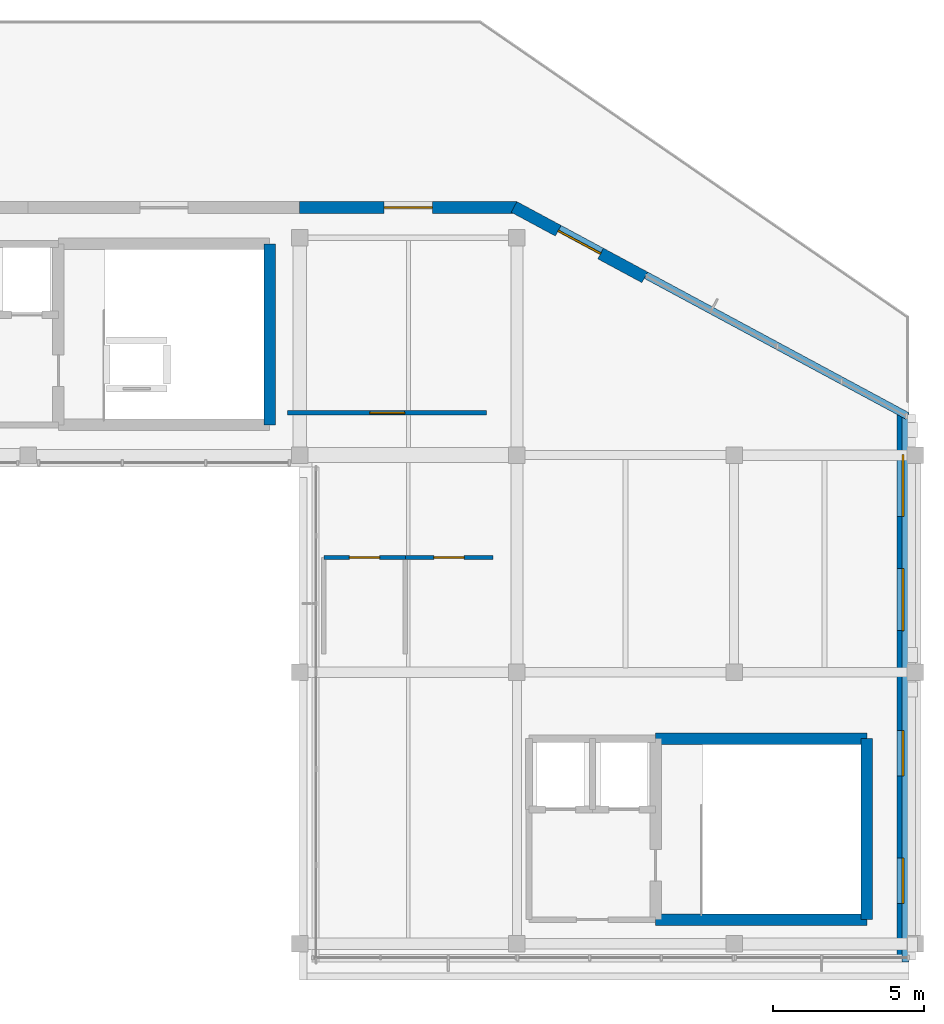
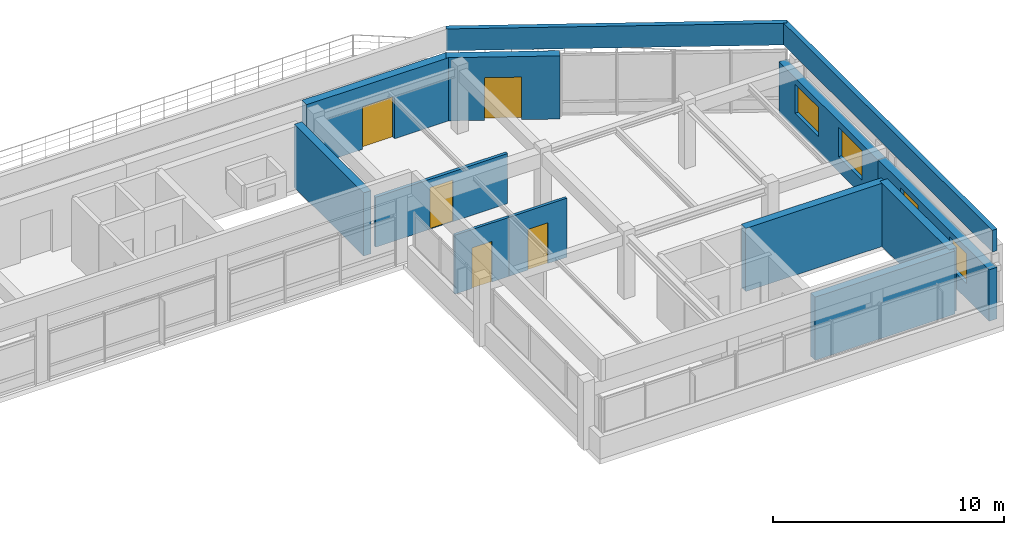
# One storey, part 8 of 10: 13 walls, 5 doors, 4 windows, 9 openings.
"""IFC4 building model written with IfcOpenShell, lengths in metres."""

from ifc_helpers import new_model, si_unit, direction, frame, frame_2d, origin, place, context, subcontext, project, spatial, rectangle, extrude, material, layer, layer_set, type_object, element, fill, save


model = new_model("IFC4")

# Units and contexts
model_context = context("Model", 3, precision=1e-05, world=origin(), true_north=direction((0.0, 1.0)))
body_context = subcontext(model_context, "Body", "Model", "MODEL_VIEW")
ifc_project = project(units=[si_unit("LENGTHUNIT", "METRE"), si_unit("AREAUNIT", "SQUARE_METRE"), si_unit("VOLUMEUNIT", "CUBIC_METRE"), si_unit("PLANEANGLEUNIT", "RADIAN"), si_unit("MASSUNIT", "GRAM", prefix="KILO")], contexts=[model_context])

# Site, building, storey
site_placement = place(None, origin())
site = spatial("IfcSite", under=ifc_project, at=site_placement, CompositionType="ELEMENT")
building_placement = place(site_placement, origin())
building = spatial("IfcBuilding", under=site, at=building_placement, Name="Clarverna Civic Hall", CompositionType="ELEMENT")
storey_placement = place(building_placement, frame((0.0, 0.0, 27.60009765625)))
storey = spatial("IfcBuildingStorey", under=building, at=storey_placement, Name="L07", CompositionType="ELEMENT", Elevation=27.60009765625)

# Wall, opening, door
ifc_material_1 = material(Name="Montjuic Limestone Ashlar Cladding", Category="masonry")
ifc_layer_1 = layer(ifc_material_1, 0.39990234375)
ifc_layer_set_1 = layer_set([ifc_layer_1], Name="Montjuic Limestone Ashlar Cladding")
wall_type_1 = type_object("IfcWallType", Name="EW-02", PredefinedType="SOLIDWALL", material=ifc_layer_set_1)
wall_1_placement = place(storey_placement, frame((147.60009765625, 103.199951171875, 0.0), z_axis=(0.0, 0.0, 1.0), x_axis=(1.0, 0.0, 0.0)))
wall_1 = element("IfcWall", 1, at=wall_1_placement, inside=storey, type_object=wall_type_1, Name="EW-02-286", PredefinedType="SOLIDWALL", context=body_context, shape_type="SweptSolid", body=[
    extrude(rectangle(XDim=7.199951171875, YDim=0.39990234375, at=frame_2d((3.60009765625, 0.0))), origin(), (0.0, 0.0, 1.0), 3.33984375),
])
opening_1_placement = place(wall_1_placement, frame((2.800048828125, 0.0, 0.0)))
opening_1 = element("IfcOpeningElement", 2, at=opening_1_placement, cuts=wall_1, Name="Opening ED-04", PredefinedType="OPENING", context=body_context, shape_type="SweptSolid", body=[
    extrude(rectangle(XDim=1.60009765625, YDim=2.25, at=frame_2d((0.800048828125, 1.125))), frame((0.0, 0.2099609375, 0.0), z_axis=(0.0, -1.0, 0.0), x_axis=(1.0, 0.0, 0.0)), (0.0, 0.0, 1.0), 0.419921875),
])
ifc_material_2 = material(Name="Anodised Bronze Glazed Door")
door_type_1 = type_object("IfcDoorType", Name="ED-04", OperationType="DOUBLE_DOOR_SINGLE_SWING", PredefinedType="DOOR", material=ifc_material_2)
door_1_placement = place(opening_1_placement, origin())
door_1 = element("IfcDoor", 3, at=door_1_placement, inside=storey, type_object=door_type_1, Name="ED-04-050", OperationType="DOUBLE_DOOR_SINGLE_SWING", OverallHeight=2.25, OverallWidth=1.60009765625, PredefinedType="DOOR", context=body_context, shape_type="SweptSolid", body=[
    extrude(rectangle(XDim=1.60009765625, YDim=2.25, at=frame_2d((0.800048828125, 1.125))), frame((0.0, 0.02490234375, 0.0), z_axis=(0.0, -1.0, 0.0), x_axis=(1.0, 0.0, 0.0)), (0.0, 0.0, 1.0), 0.050048828125),
])
fill(opening_1, door_1)

wall_2_placement = place(storey_placement, frame((154.705078125, 103.223876953125, 0.0), z_axis=(0.0, 0.0, 1.0), x_axis=(0.880485434856, -0.474073200052, 0.0)))
wall_2 = element("IfcWall", 4, at=wall_2_placement, inside=storey, type_object=wall_type_1, Name="EW-02-287", PredefinedType="SOLIDWALL", context=body_context, shape_type="SweptSolid", body=[
    extrude(rectangle(XDim=4.921630859375, YDim=0.39990234375, at=frame_2d((2.4609375, 0.0))), origin(), (0.0, 0.0, 1.0), 3.33984375),
])
opening_2_placement = place(wall_2_placement, frame((1.660888671875, 0.0, 0.0)))
opening_2 = element("IfcOpeningElement", 5, at=opening_2_placement, cuts=wall_2, Name="Opening ED-04", PredefinedType="OPENING", context=body_context, shape_type="SweptSolid", body=[
    extrude(rectangle(XDim=1.60009765625, YDim=2.25, at=frame_2d((0.800048828125, 1.125))), frame((0.0, 0.2099609375, 0.0), z_axis=(0.0, -1.0, 0.0), x_axis=(1.0, 0.0, 0.0)), (0.0, 0.0, 1.0), 0.419921875),
])
door_2_placement = place(opening_2_placement, origin())
door_2 = element("IfcDoor", 6, at=door_2_placement, inside=storey, type_object=door_type_1, Name="ED-04-051", OperationType="DOUBLE_DOOR_SINGLE_SWING", OverallHeight=2.25, OverallWidth=1.60009765625, PredefinedType="DOOR", context=body_context, shape_type="SweptSolid", body=[
    extrude(rectangle(XDim=1.60009765625, YDim=2.25, at=frame_2d((0.800048828125, 1.125))), frame((0.0, 0.02490234375, 0.0), z_axis=(0.0, -1.0, 0.0), x_axis=(1.0, 0.0, 0.0)), (0.0, 0.0, 1.0), 0.050048828125),
])
fill(opening_2, door_2)

# Wall, openings, windows
wall_3_placement = place(storey_placement, frame((167.60009765625, 96.39990234375, 0.0), z_axis=(0.0, 0.0, 1.0), x_axis=(0.0, -1.0, 0.0)))
wall_3 = element("IfcWall", 7, at=wall_3_placement, inside=storey, type_object=wall_type_1, Name="EW-02-288", PredefinedType="SOLIDWALL", context=body_context, shape_type="SweptSolid", body=[
    extrude(rectangle(XDim=8.599853515625, YDim=0.39990234375, at=frame_2d((4.2998046875, 0.0))), origin(), (0.0, 0.0, 1.0), 2.68994140625),
])
opening_3_placement = place(wall_3_placement, frame((1.383056640625, 0.0, 0.800048828125)))
opening_3 = element("IfcOpeningElement", 8, at=opening_3_placement, cuts=wall_3, Name="Opening WN-28", PredefinedType="OPENING", context=body_context, shape_type="SweptSolid", body=[
    extrude(rectangle(XDim=2.050048828125, YDim=1.550048828125, at=frame_2d((1.02490234375, 0.77490234375))), frame((0.0, 0.2099609375, 0.0), z_axis=(0.0, -1.0, 0.0), x_axis=(1.0, 0.0, 0.0)), (0.0, 0.0, 1.0), 0.419921875),
])
opening_4_placement = place(wall_3_placement, frame((5.1669921875, 0.0, 0.800048828125)))
opening_4 = element("IfcOpeningElement", 9, at=opening_4_placement, cuts=wall_3, Name="Opening WN-28", PredefinedType="OPENING", context=body_context, shape_type="SweptSolid", body=[
    extrude(rectangle(XDim=2.050048828125, YDim=1.550048828125, at=frame_2d((1.02490234375, 0.77490234375))), frame((0.0, 0.2099609375, 0.0), z_axis=(0.0, -1.0, 0.0), x_axis=(1.0, 0.0, 0.0)), (0.0, 0.0, 1.0), 0.419921875),
])
ifc_material_3 = material(Name="Solar-Control Argon Low-E Double Glazing", Category="glass")
window_type_1 = type_object("IfcWindowType", Name="WN-28", PartitioningType="DOUBLE_PANEL_VERTICAL", PredefinedType="WINDOW", material=ifc_material_3)
window_1_placement = place(opening_3_placement, origin())
window_1 = element("IfcWindow", 10, at=window_1_placement, inside=storey, type_object=window_type_1, Name="WN-28-001", OverallHeight=1.550048828125, OverallWidth=2.050048828125, PartitioningType="DOUBLE_PANEL_VERTICAL", PredefinedType="WINDOW", context=body_context, shape_type="SweptSolid", body=[
    extrude(rectangle(XDim=2.050048828125, YDim=1.550048828125, at=frame_2d((1.02490234375, 0.77490234375))), frame((0.0, 0.030029296875, 0.0), z_axis=(0.0, -1.0, 0.0), x_axis=(1.0, 0.0, 0.0)), (0.0, 0.0, 1.0), 0.06005859375),
])
fill(opening_3, window_1)
window_2_placement = place(opening_4_placement, origin())
window_2 = element("IfcWindow", 11, at=window_2_placement, inside=storey, type_object=window_type_1, Name="WN-28-002", OverallHeight=1.550048828125, OverallWidth=2.050048828125, PartitioningType="DOUBLE_PANEL_VERTICAL", PredefinedType="WINDOW", context=body_context, shape_type="SweptSolid", body=[
    extrude(rectangle(XDim=2.050048828125, YDim=1.550048828125, at=frame_2d((1.02490234375, 0.77490234375))), frame((0.0, 0.030029296875, 0.0), z_axis=(0.0, -1.0, 0.0), x_axis=(1.0, 0.0, 0.0)), (0.0, 0.0, 1.0), 0.06005859375),
])
fill(opening_4, window_2)

wall_4_placement = place(storey_placement, frame((167.60009765625, 87.800048828125, 0.0), z_axis=(0.0, 0.0, 1.0), x_axis=(0.0, -1.0, 0.0)))
wall_4 = element("IfcWall", 12, at=wall_4_placement, inside=storey, type_object=wall_type_1, Name="EW-02-289", PredefinedType="SOLIDWALL", context=body_context, shape_type="SweptSolid", body=[
    extrude(rectangle(XDim=9.60009765625, YDim=0.39990234375, at=frame_2d((4.800048828125, 0.0))), origin(), (0.0, 0.0, 1.0), 2.719970703125),
])
opening_5_placement = place(wall_4_placement, frame((1.93798828125, 0.0, 0.800048828125)))
opening_5 = element("IfcOpeningElement", 13, at=opening_5_placement, cuts=wall_4, Name="Opening WN-14", PredefinedType="OPENING", context=body_context, shape_type="SweptSolid", body=[
    extrude(rectangle(XDim=1.5, YDim=1.60009765625, at=frame_2d((0.75, 0.800048828125))), frame((0.0, 0.2099609375, 0.0), z_axis=(0.0, -1.0, 0.0), x_axis=(1.0, 0.0, 0.0)), (0.0, 0.0, 1.0), 0.419921875),
])
opening_6_placement = place(wall_4_placement, frame((6.162109375, 0.0, 0.800048828125)))
opening_6 = element("IfcOpeningElement", 14, at=opening_6_placement, cuts=wall_4, Name="Opening WN-14", PredefinedType="OPENING", context=body_context, shape_type="SweptSolid", body=[
    extrude(rectangle(XDim=1.5, YDim=1.60009765625, at=frame_2d((0.75, 0.800048828125))), frame((0.0, 0.2099609375, 0.0), z_axis=(0.0, -1.0, 0.0), x_axis=(1.0, 0.0, 0.0)), (0.0, 0.0, 1.0), 0.419921875),
])
window_type_2 = type_object("IfcWindowType", Name="WN-14", PartitioningType="DOUBLE_PANEL_HORIZONTAL", PredefinedType="WINDOW", material=ifc_material_3)
window_3_placement = place(opening_5_placement, origin())
window_3 = element("IfcWindow", 15, at=window_3_placement, inside=storey, type_object=window_type_2, Name="WN-14-317", OverallHeight=1.60009765625, OverallWidth=1.5, PartitioningType="DOUBLE_PANEL_HORIZONTAL", PredefinedType="WINDOW", context=body_context, shape_type="SweptSolid", body=[
    extrude(rectangle(XDim=1.5, YDim=1.60009765625, at=frame_2d((0.75, 0.800048828125))), frame((0.0, 0.030029296875, 0.0), z_axis=(0.0, -1.0, 0.0), x_axis=(1.0, 0.0, 0.0)), (0.0, 0.0, 1.0), 0.06005859375),
])
fill(opening_5, window_3)
window_4_placement = place(opening_6_placement, origin())
window_4 = element("IfcWindow", 16, at=window_4_placement, inside=storey, type_object=window_type_2, Name="WN-14-318", OverallHeight=1.60009765625, OverallWidth=1.5, PartitioningType="DOUBLE_PANEL_HORIZONTAL", PredefinedType="WINDOW", context=body_context, shape_type="SweptSolid", body=[
    extrude(rectangle(XDim=1.5, YDim=1.60009765625, at=frame_2d((0.75, 0.800048828125))), frame((0.0, 0.030029296875, 0.0), z_axis=(0.0, -1.0, 0.0), x_axis=(1.0, 0.0, 0.0)), (0.0, 0.0, 1.0), 0.06005859375),
])
fill(opening_6, window_4)

# Walls
ifc_material_4 = material(Name="Precast concrete C40/50", Category="concrete")
ifc_layer_2 = layer(ifc_material_4, 0.239990234375)
ifc_layer_set_2 = layer_set([ifc_layer_2], Name="Precast concrete C40/50")
wall_type_2 = type_object("IfcWallType", Name="PR-01", PredefinedType="PARAPET", material=ifc_layer_set_2)
wall_5_placement = place(storey_placement, frame((167.679931640625, 78.199951171875, 3.599853515625), z_axis=(0.0, 0.0, 1.0), x_axis=(0.0, 1.0, 0.0)))
element("IfcWall", 17, at=wall_5_placement, inside=storey, type_object=wall_type_2, Name="PR-01-099", PredefinedType="PARAPET", context=body_context, shape_type="SweptSolid", body=[
    extrude(rectangle(XDim=18.199951171875, YDim=0.239990234375, at=frame_2d((9.10009765625, 0.0))), origin(), (0.0, 0.0, 1.0), 1.150146484375),
])
wall_6_placement = place(storey_placement, frame((167.7431640625, 96.294189453125, 3.599853515625), z_axis=(0.0, 0.0, 1.0), x_axis=(-0.880471099922, 0.474099823035, 0.0)))
element("IfcWall", 18, at=wall_6_placement, inside=storey, type_object=wall_type_2, Name="PR-01-100", PredefinedType="PARAPET", context=body_context, shape_type="SweptSolid", body=[
    extrude(rectangle(XDim=14.764892578125, YDim=0.239990234375, at=frame_2d((7.38232421875, 0.0))), origin(), (0.0, 0.0, 1.0), 1.150146484375),
])

# Wall, opening, door
ifc_material_5 = material(Name="Acoustic Gypsum Plasterboard Partition", Category="gypsum")
ifc_layer_3 = layer(ifc_material_5, 0.159912109375)
ifc_layer_set_3 = layer_set([ifc_layer_3], Name="Acoustic Gypsum Plasterboard Partition")
wall_type_3 = type_object("IfcWallType", Name="PW-01", PredefinedType="PARTITIONING", material=ifc_layer_set_3)
wall_7_placement = place(storey_placement, frame((147.199951171875, 96.39990234375, 0.0), z_axis=(0.0, 0.0, 1.0), x_axis=(1.0, 0.0, 0.0)))
wall_7 = element("IfcWall", 19, at=wall_7_placement, inside=storey, type_object=wall_type_3, Name="PW-01-009", PredefinedType="PARTITIONING", context=body_context, shape_type="SweptSolid", body=[
    extrude(rectangle(XDim=6.60009765625, YDim=0.159912109375, at=frame_2d((3.300048828125, 0.0))), origin(), (0.0, 0.0, 1.0), 2.639892578125),
])
opening_7_placement = place(wall_7_placement, frame((2.72509765625, 0.0, 0.0)))
opening_7 = element("IfcOpeningElement", 20, at=opening_7_placement, cuts=wall_7, Name="Opening ID-03", PredefinedType="OPENING", context=body_context, shape_type="SweptSolid", body=[
    extrude(rectangle(XDim=1.14990234375, YDim=2.199951171875, at=frame_2d((0.574951171875, 1.10009765625))), frame((0.0, 0.08984375, 0.0), z_axis=(0.0, -1.0, 0.0), x_axis=(1.0, 0.0, 0.0)), (0.0, 0.0, 1.0), 0.179931640625),
])
ifc_material_6 = material(Name="European Oak Veneered Acoustic Timber Door", Category="wood")
door_type_2 = type_object("IfcDoorType", Name="ID-03", OperationType="NOTDEFINED", PredefinedType="DOOR", material=ifc_material_6)
door_3_placement = place(opening_7_placement, origin())
door_3 = element("IfcDoor", 21, at=door_3_placement, inside=storey, type_object=door_type_2, Name="ID-03-007", OperationType="SINGLE_SWING_RIGHT", OverallHeight=2.199951171875, OverallWidth=1.14990234375, PredefinedType="DOOR", context=body_context, shape_type="SweptSolid", body=[
    extrude(rectangle(XDim=1.14990234375, YDim=2.199951171875, at=frame_2d((0.574951171875, 1.10009765625))), frame((0.0, 0.02490234375, 0.0), z_axis=(0.0, -1.0, 0.0), x_axis=(1.0, 0.0, 0.0)), (0.0, 0.0, 1.0), 0.050048828125),
])
fill(opening_7, door_3)

ifc_material_7 = material(Name="Ceramic Brick and Plaster Wet-Room Partition", Category="masonry")
ifc_layer_4 = layer(ifc_material_7, 0.139892578125)
ifc_layer_set_4 = layer_set([ifc_layer_4], Name="Ceramic Brick and Plaster Wet-Room Partition")
wall_type_4 = type_object("IfcWallType", Name="PW-02", PredefinedType="PARTITIONING", material=ifc_layer_set_4)
wall_8_placement = place(storey_placement, frame((148.39990234375, 91.60009765625, 0.0), z_axis=(0.0, 0.0, 1.0), x_axis=(1.0, 0.0, 0.0)))
wall_8 = element("IfcWall", 22, at=wall_8_placement, inside=storey, type_object=wall_type_4, Name="PW-02-203", PredefinedType="PARTITIONING", context=body_context, shape_type="SweptSolid", body=[
    extrude(rectangle(XDim=2.7001953125, YDim=0.139892578125, at=frame_2d((1.35009765625, 0.0))), origin(), (0.0, 0.0, 1.0), 3.119873046875),
])
opening_8_placement = place(wall_8_placement, frame((0.85009765625, 0.0, 0.0)))
opening_8 = element("IfcOpeningElement", 23, at=opening_8_placement, cuts=wall_8, Name="Opening ID-02", PredefinedType="OPENING", context=body_context, shape_type="SweptSolid", body=[
    extrude(rectangle(XDim=1.0, YDim=2.14990234375, at=frame_2d((0.5, 1.074951171875))), frame((0.0, 0.079833984375, 0.0), z_axis=(0.0, -1.0, 0.0), x_axis=(1.0, 0.0, 0.0)), (0.0, 0.0, 1.0), 0.159912109375),
])
door_type_3 = type_object("IfcDoorType", Name="ID-02", OperationType="NOTDEFINED", PredefinedType="DOOR", material=ifc_material_6)
door_4_placement = place(opening_8_placement, origin())
door_4 = element("IfcDoor", 24, at=door_4_placement, inside=storey, type_object=door_type_3, Name="ID-02-076", OperationType="SINGLE_SWING_LEFT", OverallHeight=2.14990234375, OverallWidth=1.0, PredefinedType="DOOR", context=body_context, shape_type="SweptSolid", body=[
    extrude(rectangle(XDim=1.0, YDim=2.14990234375, at=frame_2d((0.5, 1.074951171875))), frame((0.0, 0.02490234375, 0.0), z_axis=(0.0, -1.0, 0.0), x_axis=(1.0, 0.0, 0.0)), (0.0, 0.0, 1.0), 0.050048828125),
])
fill(opening_8, door_4)

wall_9_placement = place(storey_placement, frame((151.10009765625, 91.60009765625, 0.0), z_axis=(0.0, 0.0, 1.0), x_axis=(1.0, 0.0, 0.0)))
wall_9 = element("IfcWall", 25, at=wall_9_placement, inside=storey, type_object=wall_type_4, Name="PW-02-204", PredefinedType="PARTITIONING", context=body_context, shape_type="SweptSolid", body=[
    extrude(rectangle(XDim=2.89990234375, YDim=0.139892578125, at=frame_2d((1.449951171875, 0.0))), origin(), (0.0, 0.0, 1.0), 3.119873046875),
])
opening_9_placement = place(wall_9_placement, frame((0.949951171875, 0.0, 0.0)))
opening_9 = element("IfcOpeningElement", 26, at=opening_9_placement, cuts=wall_9, Name="Opening ID-02", PredefinedType="OPENING", context=body_context, shape_type="SweptSolid", body=[
    extrude(rectangle(XDim=1.0, YDim=2.14990234375, at=frame_2d((0.5, 1.074951171875))), frame((0.0, 0.079833984375, 0.0), z_axis=(0.0, -1.0, 0.0), x_axis=(1.0, 0.0, 0.0)), (0.0, 0.0, 1.0), 0.159912109375),
])
door_5_placement = place(opening_9_placement, origin())
door_5 = element("IfcDoor", 27, at=door_5_placement, inside=storey, type_object=door_type_3, Name="ID-02-077", OperationType="SINGLE_SWING_RIGHT", OverallHeight=2.14990234375, OverallWidth=1.0, PredefinedType="DOOR", context=body_context, shape_type="SweptSolid", body=[
    extrude(rectangle(XDim=1.0, YDim=2.14990234375, at=frame_2d((0.5, 1.074951171875))), frame((0.0, 0.02490234375, 0.0), z_axis=(0.0, -1.0, 0.0), x_axis=(1.0, 0.0, 0.0)), (0.0, 0.0, 1.0), 0.050048828125),
])
fill(opening_9, door_5)

# Walls
ifc_material_8 = material(Name="Concrete C35/45", Category="concrete")
ifc_layer_5 = layer(ifc_material_8, 0.3798828125)
ifc_layer_set_5 = layer_set([ifc_layer_5], Name="Concrete C35/45")
wall_type_5 = type_object("IfcWallType", Name="SW-01", PredefinedType="SHEAR", material=ifc_layer_set_5)
for number, where, z_axis, x_axis, name in (
    (28, (146.60009765625, 96.0, 0.0), (0.0, 0.0, 1.0), (0.0, 1.0, 0.0), "SW-01-074"),
    (29, (166.39990234375, 79.60009765625, 0.0), (0.0, 0.0, 1.0), (0.0, 1.0, 0.0), "SW-01-155"),
):
    element("IfcWall", number, at=place(storey_placement, frame(where, z_axis=z_axis, x_axis=x_axis)), inside=storey, type_object=wall_type_5, Name=name, PredefinedType="SHEAR", context=body_context, shape_type="SweptSolid", body=[
        extrude(rectangle(XDim=6.0, YDim=0.3798828125, at=frame_2d((3.0, 0.0))), origin(), (0.0, 0.0, 1.0), 3.33984375),
    ])
for number, where, z_axis, x_axis, name in (
    (30, (159.39990234375, 79.60009765625, 0.0), (0.0, 0.0, 1.0), (1.0, 0.0, 0.0), "SW-01-156"),
    (31, (159.39990234375, 85.60009765625, 0.0), (0.0, 0.0, 1.0), (1.0, 0.0, 0.0), "SW-01-157"),
):
    element("IfcWall", number, at=place(storey_placement, frame(where, z_axis=z_axis, x_axis=x_axis)), inside=storey, type_object=wall_type_5, Name=name, PredefinedType="SHEAR", context=body_context, shape_type="SweptSolid", body=[
        extrude(rectangle(XDim=7.0, YDim=0.3798828125, at=frame_2d((3.5, 0.0))), origin(), (0.0, 0.0, 1.0), 3.33984375),
    ])

save(model, "model.ifc")
